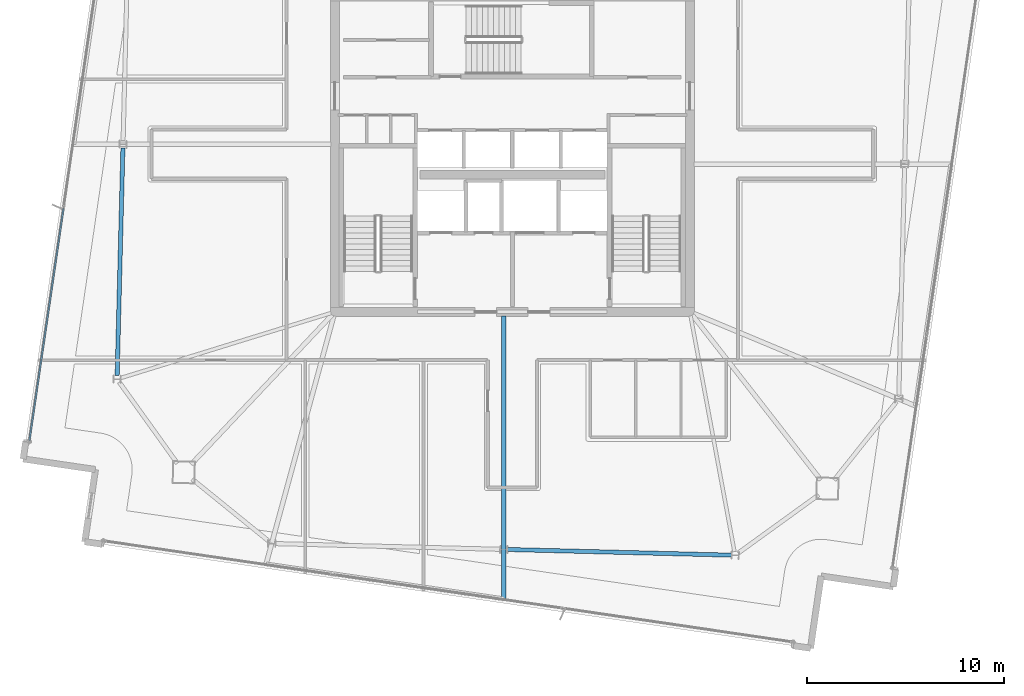
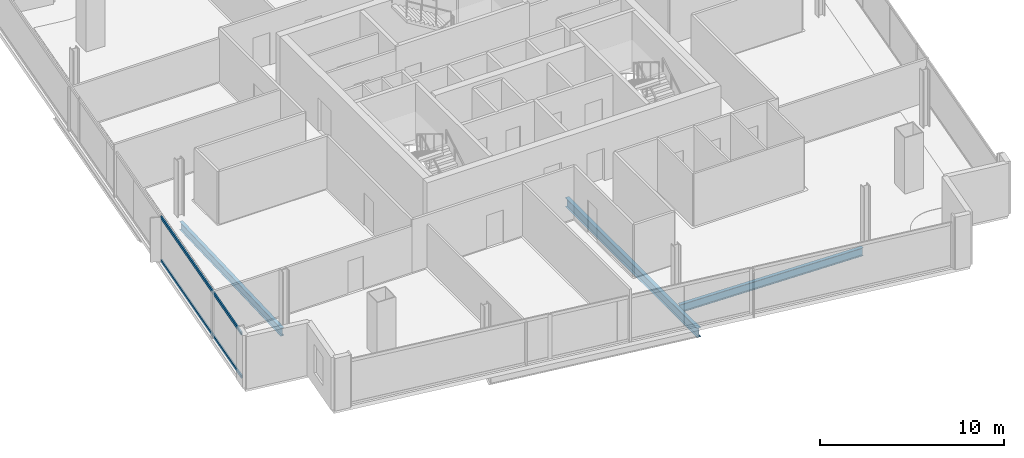
# One storey, part 4 of 22: 3 beams, 2 members, 1 element without a shape of its own.
"""IFC4 building model written with IfcOpenShell, lengths in metres."""

from ifc_helpers import new_model, si_unit, direction, frame, origin, origin_2d, place, context, subcontext, project, spatial, hollow_rectangle, i_section, extrude, material, material_profile, profile_set, type_object, element, aggregate, save


model = new_model("IFC4")

# Units and contexts
model_context = context("Model", 3, precision=1e-05, world=origin(), true_north=direction((0.0, 1.0)))
body_context = subcontext(model_context, "Body", "Model", "MODEL_VIEW")
ifc_project = project(units=[si_unit("LENGTHUNIT", "METRE"), si_unit("AREAUNIT", "SQUARE_METRE"), si_unit("VOLUMEUNIT", "CUBIC_METRE"), si_unit("PLANEANGLEUNIT", "RADIAN"), si_unit("MASSUNIT", "GRAM", prefix="KILO")], contexts=[model_context])

# Site, building, storey
site_placement = place(None, origin())
site = spatial("IfcSite", under=ifc_project, at=site_placement, CompositionType="ELEMENT")
building_placement = place(site_placement, origin())
building = spatial("IfcBuilding", under=site, at=building_placement, Name="Haldenkirk Collegiate Tower", CompositionType="ELEMENT")
storey_placement = place(building_placement, frame((0.0, 0.0, 302.699951171875)))
storey = spatial("IfcBuildingStorey", under=building, at=storey_placement, Name="L76", CompositionType="ELEMENT", Elevation=302.699951171875)

# Beams
ifc_material_1 = material(Name="Steel ASTM A992 Grade 50", Category="steel")
ifc_material_profile_1 = material_profile(ifc_material_1, i_section(OverallWidth=0.22998046875, OverallDepth=0.616943359375, WebThickness=0.01318359375, FlangeThickness=0.022216796875, at=origin_2d()), Name="W24X94")
ifc_profile_set_1 = profile_set([ifc_material_profile_1], Name="Steel ASTM A992 Grade 50")
beam_type_1 = type_object("IfcBeamType", Name="BM-GIRDER-W24X94", PredefinedType="BEAM", material=ifc_profile_set_1)
beam_1_placement = place(storey_placement, frame((35.567626953125, 3.443603515625, -0.568359375), z_axis=(0.0, 1.0, 0.0), x_axis=(-1.0, 0.0, 0.0)))
element("IfcBeam", 1, at=beam_1_placement, inside=storey, type_object=beam_type_1, Name="L76 primary floor girder 15", PredefinedType="BEAM", context=body_context, shape_type="SweptSolid", body=[
    extrude(i_section(OverallWidth=0.22998046875, OverallDepth=0.616943359375, WebThickness=0.01318359375, FlangeThickness=0.022216796875, at=origin_2d()), origin(), (0.0, 0.0, 1.0), 14.351318359375),
])
ifc_material_profile_2 = material_profile(ifc_material_1, i_section(OverallWidth=0.2099609375, OverallDepth=0.537109375, WebThickness=0.010986328125, FlangeThickness=0.017333984375, at=origin_2d()), Name="W21X68")
ifc_profile_set_2 = profile_set([ifc_material_profile_2], Name="Steel ASTM A992 Grade 50")
beam_type_2 = type_object("IfcBeamType", Name="BM-SPANDREL-W21X68", PredefinedType="SPANDREL", material=ifc_profile_set_2)
beam_2_placement = place(storey_placement, frame((16.25146484375, 26.31201171875, -0.528564453125), z_axis=(-0.02528078186, -0.999680389959, 0.0), x_axis=(0.999680389959, -0.02528078186, 0.0)))
element("IfcBeam", 2, at=beam_2_placement, inside=storey, type_object=beam_type_2, Name="L76 perimeter spandrel beam 11", PredefinedType="SPANDREL", context=body_context, shape_type="SweptSolid", body=[
    extrude(i_section(OverallWidth=0.2099609375, OverallDepth=0.537109375, WebThickness=0.010986328125, FlangeThickness=0.017333984375, at=origin_2d()), origin(), (0.0, 0.0, 1.0), 11.540283203125),
])
beam_3_placement = place(storey_placement, frame((35.755615234375, 5.94970703125, -0.528564453125), z_axis=(0.999679850822, -0.025302092003, 0.0), x_axis=(0.025302092003, 0.999679850822, 0.0)))
element("IfcBeam", 3, at=beam_3_placement, inside=storey, type_object=beam_type_2, Name="L76 perimeter spandrel beam 15", PredefinedType="SPANDREL", context=body_context, shape_type="SweptSolid", body=[
    extrude(i_section(OverallWidth=0.2099609375, OverallDepth=0.537109375, WebThickness=0.010986328125, FlangeThickness=0.017333984375, at=origin_2d()), origin(), (0.0, 0.0, 1.0), 11.35693359375),
])

# Curtain wall, members
ifc_material_2 = material(Name="Anodised architectural bronze aluminium", Category="aluminium")
curtain_wall_type = type_object("IfcCurtainWallType", Name="CW-SYS1B-CONVEX-HI", PredefinedType="USERDEFINED", material=ifc_material_2)
curtain_wall_placement = place(storey_placement, origin())
curtain_wall = element("IfcCurtainWall", 4, at=curtain_wall_placement, inside=storey, type_object=curtain_wall_type, Name="L76 Upper tower high-wind convex bronze unitised curtain wall", ObjectType="UNITISED CURTAIN WALL", PredefinedType="USERDEFINED")
ifc_material_profile_3 = material_profile(ifc_material_2, hollow_rectangle(XDim=0.0849609375, YDim=0.199951171875, WallThickness=0.0048828125, at=origin_2d()), Name="CW-TRN-1B")
ifc_profile_set_3 = profile_set([ifc_material_profile_3], Name="Anodised architectural bronze aluminium")
member_type = type_object("IfcMemberType", Name="CW-TRN-1B", PredefinedType="USERDEFINED", material=ifc_profile_set_3)
member_1_placement = place(storey_placement, frame((11.512939453125, 11.4873046875, 0.04248046875), z_axis=(0.145220476239, 0.989399319426, 0.0), x_axis=(-0.989399319426, 0.145220476239, 0.0)))
member_1 = element("IfcMember", 5, at=member_1_placement, type_object=member_type, Name="CW-1B transom 1.1", ObjectType="TRANSOM", PredefinedType="USERDEFINED", context=body_context, shape_type="SweptSolid", body=[
    extrude(hollow_rectangle(XDim=0.0849609375, YDim=0.199951171875, WallThickness=0.0048828125, at=origin_2d()), origin(), (0.0, 0.0, 1.0), 11.87255859375),
])
member_2_placement = place(storey_placement, frame((11.512939453125, 11.4873046875, 2.905517578125), z_axis=(0.145220476239, 0.989399319426, 0.0), x_axis=(-0.989399319426, 0.145220476239, 0.0)))
member_2 = element("IfcMember", 6, at=member_2_placement, type_object=member_type, Name="CW-1B transom 1.2", ObjectType="TRANSOM", PredefinedType="USERDEFINED", context=body_context, shape_type="SweptSolid", body=[
    extrude(hollow_rectangle(XDim=0.0849609375, YDim=0.199951171875, WallThickness=0.0048828125, at=origin_2d()), origin(), (0.0, 0.0, 1.0), 11.87255859375),
])
aggregate(curtain_wall, [member_1, member_2])

save(model, "model.ifc")
